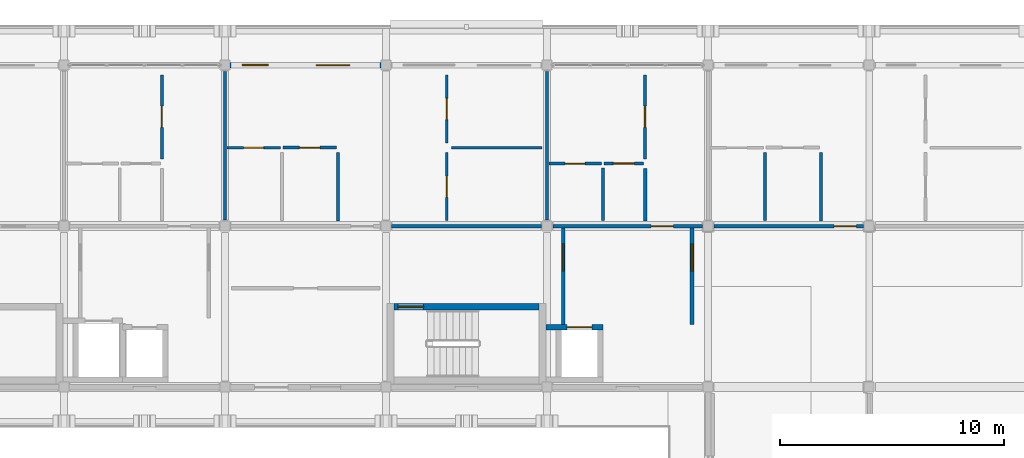
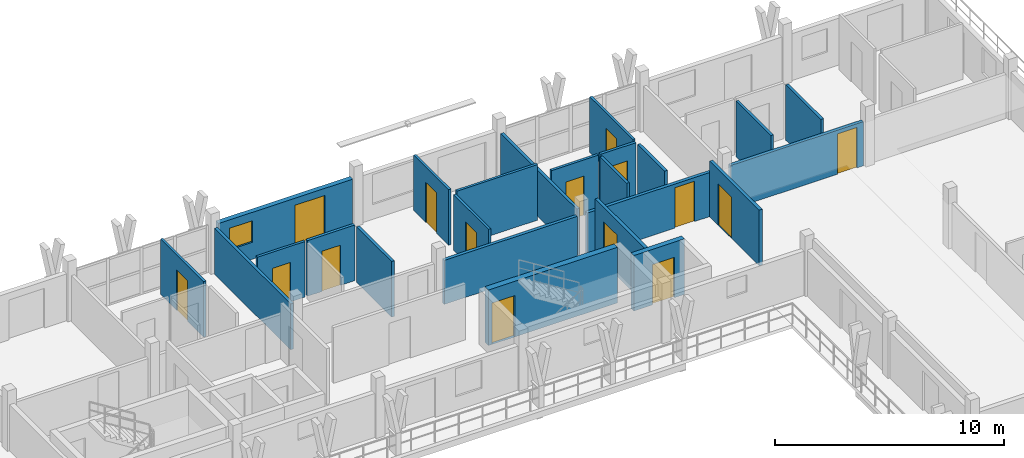
# One storey, part 41 of 56: 24 walls, 15 doors, 1 window, 16 openings.
"""IFC4 building model written with IfcOpenShell, lengths in metres."""

from ifc_helpers import new_model, si_unit, direction, frame, frame_2d, origin, place, context, subcontext, project, spatial, rectangle, extrude, material, layer, layer_set, type_object, element, fill, save


model = new_model("IFC4")

# Units and contexts
model_context = context("Model", 3, precision=1e-05, world=origin(), true_north=direction((0.0, 1.0)))
body_context = subcontext(model_context, "Body", "Model", "MODEL_VIEW")
ifc_project = project(units=[si_unit("LENGTHUNIT", "METRE"), si_unit("AREAUNIT", "SQUARE_METRE"), si_unit("VOLUMEUNIT", "CUBIC_METRE"), si_unit("PLANEANGLEUNIT", "RADIAN"), si_unit("MASSUNIT", "GRAM", prefix="KILO")], contexts=[model_context])

# Site, building, storey
site_placement = place(None, origin())
site = spatial("IfcSite", under=ifc_project, at=site_placement, CompositionType="ELEMENT")
building_placement = place(site_placement, origin())
building = spatial("IfcBuilding", under=site, at=building_placement, Name="Suanplinth Sawtooth Commons", CompositionType="ELEMENT")
storey_placement = place(building_placement, frame((0.0, 0.0, 34.800048828125)))
storey = spatial("IfcBuildingStorey", under=building, at=storey_placement, Name="L10", CompositionType="ELEMENT", Elevation=34.800048828125)

# Wall, opening, door
ifc_material_1 = material(Name="Concrete C40/50", Category="concrete")
ifc_layer_1 = layer(ifc_material_1, 0.300048828125, Name="Standard RC stair and lift core wall 300mm")
ifc_layer_set_1 = layer_set([ifc_layer_1], Name="Concrete C40/50")
wall_type_1 = type_object("IfcWallType", Name="W-CR02", PredefinedType="SHEAR", material=ifc_layer_set_1)
wall_1_placement = place(storey_placement, frame((158.75, 111.60009765625, 0.0), z_axis=(0.0, 0.0, 1.0), x_axis=(1.0, 0.0, 0.0)))
wall_1 = element("IfcWall", 1, at=wall_1_placement, inside=storey, type_object=wall_type_1, Name="W-L10-C-B2-STN", PredefinedType="SHEAR", context=body_context, shape_type="SweptSolid", body=[
    extrude(rectangle(XDim=6.5, YDim=0.300048828125, at=frame_2d((3.25, 0.0))), origin(), (0.0, 0.0, 1.0), 2.9599609375),
])
opening_1_placement = place(wall_1_placement, frame((0.179931640625, 0.0, 0.0)))
opening_1 = element("IfcOpeningElement", 2, at=opening_1_placement, cuts=wall_1, Name="Opening FD0264", PredefinedType="OPENING", context=body_context, shape_type="SweptSolid", body=[
    extrude(rectangle(XDim=1.14990234375, YDim=2.199951171875, at=frame_2d((0.574951171875, 1.10009765625))), frame((0.0, 0.1650390625, 0.0), z_axis=(0.0, -1.0, 0.0), x_axis=(1.0, 0.0, 0.0)), (0.0, 0.0, 1.0), 0.329833984375),
])
ifc_material_2 = material(Name="Teak hardwood fire-rated door assembly", Category="wood")
door_type_1 = type_object("IfcDoorType", Name="FD-01", OperationType="NOTDEFINED", PredefinedType="DOOR", material=ifc_material_2)
door_1_placement = place(opening_1_placement, frame((1.14990234375, 0.0, 0.0), z_axis=(0.0, 0.0, 1.0), x_axis=(-1.0, 0.0, 0.0)))
door_1 = element("IfcDoor", 3, at=door_1_placement, inside=storey, type_object=door_type_1, Name="Exit Stair Fire Door FD0264", OperationType="SINGLE_SWING_RIGHT", OverallHeight=2.199951171875, OverallWidth=1.14990234375, PredefinedType="DOOR", context=body_context, shape_type="SweptSolid", body=[
    extrude(rectangle(XDim=1.14990234375, YDim=2.199951171875, at=frame_2d((0.574951171875, 1.10009765625))), frame((0.0, 0.02490234375, 0.0), z_axis=(0.0, -1.0, 0.0), x_axis=(1.0, 0.0, 0.0)), (0.0, 0.0, 1.0), 0.050048828125),
])
fill(opening_1, door_1)

# Wall, openings, door, window
ifc_material_3 = material(Name="Precast concrete C40/50", Category="concrete")
ifc_layer_2 = layer(ifc_material_3, 0.239990234375, Name="Upper insulated precast facade wall 240mm")
ifc_layer_set_2 = layer_set([ifc_layer_2], Name="Precast concrete C40/50")
wall_type_2 = type_object("IfcWallType", Name="W-EX03", PredefinedType="ELEMENTEDWALL", material=ifc_layer_set_2)
wall_2_placement = place(storey_placement, frame((151.425048828125, 122.39990234375, 0.0), z_axis=(0.0, 0.0, 1.0), x_axis=(1.0, 0.0, 0.0)))
wall_2 = element("IfcWall", 4, at=wall_2_placement, inside=storey, type_object=wall_type_2, Name="Facade Wall W-L10-B-N-21-16", PredefinedType="ELEMENTEDWALL", context=body_context, shape_type="SweptSolid", body=[
    extrude(rectangle(XDim=6.75, YDim=0.239990234375, at=frame_2d((3.375, 0.0))), origin(), (0.0, 0.0, 1.0), 2.494873046875),
])
opening_2_placement = place(wall_2_placement, frame((3.85009765625, 0.0, 0.0)))
opening_2 = element("IfcOpeningElement", 5, at=opening_2_placement, cuts=wall_2, Name="Opening ED0753", PredefinedType="OPENING", context=body_context, shape_type="SweptSolid", body=[
    extrude(rectangle(XDim=1.5, YDim=2.1201171875, at=frame_2d((0.75, 1.06005859375))), frame((0.0, 0.134765625, 0.0), z_axis=(0.0, -1.0, 0.0), x_axis=(1.0, 0.0, 0.0)), (0.0, 0.0, 1.0), 0.269775390625),
])
opening_3_placement = place(wall_2_placement, frame((0.550048828125, 0.0, 0.89990234375)))
opening_3 = element("IfcOpeningElement", 6, at=opening_3_placement, cuts=wall_2, Name="Opening W0836", PredefinedType="OPENING", context=body_context, shape_type="SweptSolid", body=[
    extrude(rectangle(XDim=1.14990234375, YDim=1.14990234375, at=frame_2d((0.574951171875, 0.574951171875))), frame((0.0, 0.134765625, 0.0), z_axis=(0.0, -1.0, 0.0), x_axis=(1.0, 0.0, 0.0)), (0.0, 0.0, 1.0), 0.269775390625),
])
ifc_material_4 = material(Name="Anodized aluminium and low-E glass", Category="aluminium")
door_type_2 = type_object("IfcDoorType", Name="SD-03", OperationType="SLIDING_TO_LEFT", PredefinedType="DOOR", material=ifc_material_4)
door_2_placement = place(opening_2_placement, frame((1.5, 0.0, 0.0), z_axis=(0.0, 0.0, 1.0), x_axis=(-1.0, 0.0, 0.0)))
door_2 = element("IfcDoor", 7, at=door_2_placement, inside=storey, type_object=door_type_2, Name="Balcony Sliding Door L10-B-21", OperationType="SLIDING_TO_LEFT", OverallHeight=2.1201171875, OverallWidth=1.5, PredefinedType="DOOR", context=body_context, shape_type="SweptSolid", body=[
    extrude(rectangle(XDim=1.5, YDim=2.1201171875, at=frame_2d((0.75, 1.06005859375))), frame((0.0, 0.02490234375, 0.0), z_axis=(0.0, -1.0, 0.0), x_axis=(1.0, 0.0, 0.0)), (0.0, 0.0, 1.0), 0.050048828125),
])
fill(opening_2, door_2)
ifc_material_5 = material(Name="Thermally broken aluminium and low-E double glazing", Category="aluminium")
window_type = type_object("IfcWindowType", Name="WN-20", PartitioningType="SINGLE_PANEL", PredefinedType="WINDOW", material=ifc_material_5)
window_placement = place(opening_3_placement, origin())
window = element("IfcWindow", 8, at=window_placement, inside=storey, type_object=window_type, Name="Apartment Window L10-B-21", OverallHeight=1.14990234375, OverallWidth=1.14990234375, PartitioningType="SINGLE_PANEL", PredefinedType="WINDOW", context=body_context, shape_type="SweptSolid", body=[
    extrude(rectangle(XDim=1.14990234375, YDim=1.14990234375, at=frame_2d((0.574951171875, 0.574951171875))), frame((0.0, 0.030029296875, 0.0), z_axis=(0.0, -1.0, 0.0), x_axis=(1.0, 0.0, 0.0)), (0.0, 0.0, 1.0), 0.06005859375),
])
fill(opening_3, window)

# Wall, opening, door
ifc_layer_3 = layer(ifc_material_3, 0.159912109375, Name="Fire-rated corridor and lobby wall 160mm")
ifc_layer_set_3 = layer_set([ifc_layer_3], Name="Precast concrete C40/50")
wall_type_3 = type_object("IfcWallType", Name="W-FW01", PredefinedType="PARTITIONING", material=ifc_layer_set_3)
wall_3_placement = place(storey_placement, frame((166.320068359375, 110.800048828125, 0.0), z_axis=(0.0, 0.0, 1.0), x_axis=(0.0, 1.0, 0.0)))
wall_3 = element("IfcWall", 9, at=wall_3_placement, inside=storey, type_object=wall_type_3, Name="W-L10-C-B2-LOB-W", PredefinedType="PARTITIONING", context=body_context, shape_type="SweptSolid", body=[
    extrude(rectangle(XDim=4.320068359375, YDim=0.159912109375, at=frame_2d((2.16015625, 0.0))), origin(), (0.0, 0.0, 1.0), 2.9599609375),
])
opening_4_placement = place(wall_3_placement, frame((2.39990234375, 0.0, 0.0)))
opening_4 = element("IfcOpeningElement", 10, at=opening_4_placement, cuts=wall_3, Name="Opening FD0265", PredefinedType="OPENING", context=body_context, shape_type="SweptSolid", body=[
    extrude(rectangle(XDim=1.199951171875, YDim=2.199951171875, at=frame_2d((0.60009765625, 1.10009765625))), frame((0.0, 0.0947265625, 0.0), z_axis=(0.0, -1.0, 0.0), x_axis=(1.0, 0.0, 0.0)), (0.0, 0.0, 1.0), 0.189697265625),
])
door_type_3 = type_object("IfcDoorType", Name="FD-02", OperationType="NOTDEFINED", PredefinedType="DOOR", material=ifc_material_2)
door_3_placement = place(opening_4_placement, origin())
door_3 = element("IfcDoor", 11, at=door_3_placement, inside=storey, type_object=door_type_3, Name="Lobby Fire Door FD0265", OperationType="SINGLE_SWING_LEFT", OverallHeight=2.199951171875, OverallWidth=1.199951171875, PredefinedType="DOOR", context=body_context, shape_type="SweptSolid", body=[
    extrude(rectangle(XDim=1.199951171875, YDim=2.199951171875, at=frame_2d((0.60009765625, 1.10009765625))), frame((0.0, 0.02490234375, 0.0), z_axis=(0.0, -1.0, 0.0), x_axis=(1.0, 0.0, 0.0)), (0.0, 0.0, 1.0), 0.050048828125),
])
fill(opening_4, door_3)

wall_4_placement = place(storey_placement, frame((172.080078125, 110.800048828125, 0.0), z_axis=(0.0, 0.0, 1.0), x_axis=(0.0, 1.0, 0.0)))
wall_4 = element("IfcWall", 12, at=wall_4_placement, inside=storey, type_object=wall_type_3, Name="W-L10-C-B2-LOB-E", PredefinedType="PARTITIONING", context=body_context, shape_type="SweptSolid", body=[
    extrude(rectangle(XDim=4.320068359375, YDim=0.159912109375, at=frame_2d((2.16015625, 0.0))), origin(), (0.0, 0.0, 1.0), 2.9599609375),
])
opening_5_placement = place(wall_4_placement, frame((2.39990234375, 0.0, 0.0)))
opening_5 = element("IfcOpeningElement", 13, at=opening_5_placement, cuts=wall_4, Name="Opening FD0266", PredefinedType="OPENING", context=body_context, shape_type="SweptSolid", body=[
    extrude(rectangle(XDim=1.199951171875, YDim=2.199951171875, at=frame_2d((0.60009765625, 1.10009765625))), frame((0.0, 0.0947265625, 0.0), z_axis=(0.0, -1.0, 0.0), x_axis=(1.0, 0.0, 0.0)), (0.0, 0.0, 1.0), 0.189697265625),
])
door_4_placement = place(opening_5_placement, frame((1.199951171875, 0.0, 0.0), z_axis=(0.0, 0.0, 1.0), x_axis=(-1.0, 0.0, 0.0)))
door_4 = element("IfcDoor", 14, at=door_4_placement, inside=storey, type_object=door_type_3, Name="Lobby Fire Door FD0266", OperationType="SINGLE_SWING_RIGHT", OverallHeight=2.199951171875, OverallWidth=1.199951171875, PredefinedType="DOOR", context=body_context, shape_type="SweptSolid", body=[
    extrude(rectangle(XDim=1.199951171875, YDim=2.199951171875, at=frame_2d((0.60009765625, 1.10009765625))), frame((0.0, 0.02490234375, 0.0), z_axis=(0.0, -1.0, 0.0), x_axis=(1.0, 0.0, 0.0)), (0.0, 0.0, 1.0), 0.050048828125),
])
fill(opening_5, door_4)

# Wall
wall_5_placement = place(storey_placement, frame((158.655029296875, 115.199951171875, 0.0), z_axis=(0.0, 0.0, 1.0), x_axis=(1.0, 0.0, 0.0)))
element("IfcWall", 15, at=wall_5_placement, inside=storey, type_object=wall_type_3, Name="W-B-L10-U03-COR-S2", PredefinedType="PARTITIONING", context=body_context, shape_type="SweptSolid", body=[
    extrude(rectangle(XDim=6.68994140625, YDim=0.159912109375, at=frame_2d((3.344970703125, 0.0))), origin(), (0.0, 0.0, 1.0), 2.344970703125),
])

# Wall, opening, door
wall_6_placement = place(storey_placement, frame((165.85498046875, 115.199951171875, 0.0), z_axis=(0.0, 0.0, 1.0), x_axis=(1.0, 0.0, 0.0)))
wall_6 = element("IfcWall", 16, at=wall_6_placement, inside=storey, type_object=wall_type_3, Name="W-B-L10-U04-COR", PredefinedType="PARTITIONING", context=body_context, shape_type="SweptSolid", body=[
    extrude(rectangle(XDim=6.68994140625, YDim=0.159912109375, at=frame_2d((3.344970703125, 0.0))), origin(), (0.0, 0.0, 1.0), 2.344970703125),
])
opening_6_placement = place(wall_6_placement, frame((4.39501953125, 0.0, 0.0)))
opening_6 = element("IfcOpeningElement", 17, at=opening_6_placement, cuts=wall_6, Name="Opening FD1888", PredefinedType="OPENING", context=body_context, shape_type="SweptSolid", body=[
    extrude(rectangle(XDim=1.0, YDim=2.14990234375, at=frame_2d((0.5, 1.074951171875))), frame((0.0, 0.0947265625, 0.0), z_axis=(0.0, -1.0, 0.0), x_axis=(1.0, 0.0, 0.0)), (0.0, 0.0, 1.0), 0.189697265625),
])
door_type_4 = type_object("IfcDoorType", Name="FD-03", OperationType="NOTDEFINED", PredefinedType="DOOR", material=ifc_material_2)
door_5_placement = place(opening_6_placement, origin())
door_5 = element("IfcDoor", 18, at=door_5_placement, inside=storey, type_object=door_type_4, Name="Unit Entrance Door FD1888", OperationType="SINGLE_SWING_RIGHT", OverallHeight=2.14990234375, OverallWidth=1.0, PredefinedType="DOOR", context=body_context, shape_type="SweptSolid", body=[
    extrude(rectangle(XDim=1.0, YDim=2.14990234375, at=frame_2d((0.5, 1.074951171875))), frame((0.0, 0.02490234375, 0.0), z_axis=(0.0, -1.0, 0.0), x_axis=(1.0, 0.0, 0.0)), (0.0, 0.0, 1.0), 0.050048828125),
])
fill(opening_6, door_5)

wall_7_placement = place(storey_placement, frame((173.054931640625, 115.199951171875, 0.0), z_axis=(0.0, 0.0, 1.0), x_axis=(1.0, 0.0, 0.0)))
wall_7 = element("IfcWall", 19, at=wall_7_placement, inside=storey, type_object=wall_type_3, Name="W-B-L10-U05-COR-S1", PredefinedType="PARTITIONING", context=body_context, shape_type="SweptSolid", body=[
    extrude(rectangle(XDim=6.690185546875, YDim=0.159912109375, at=frame_2d((3.34521484375, 0.0))), origin(), (0.0, 0.0, 1.0), 2.344970703125),
])
opening_7_placement = place(wall_7_placement, frame((5.375, 0.0, 0.0)))
opening_7 = element("IfcOpeningElement", 20, at=opening_7_placement, cuts=wall_7, Name="Opening FD1892", PredefinedType="OPENING", context=body_context, shape_type="SweptSolid", body=[
    extrude(rectangle(XDim=1.0, YDim=2.14990234375, at=frame_2d((0.5, 1.074951171875))), frame((0.0, 0.0947265625, 0.0), z_axis=(0.0, -1.0, 0.0), x_axis=(1.0, 0.0, 0.0)), (0.0, 0.0, 1.0), 0.189697265625),
])
door_6_placement = place(opening_7_placement, origin())
door_6 = element("IfcDoor", 21, at=door_6_placement, inside=storey, type_object=door_type_4, Name="Unit Entrance Door FD1892", OperationType="SINGLE_SWING_RIGHT", OverallHeight=2.14990234375, OverallWidth=1.0, PredefinedType="DOOR", context=body_context, shape_type="SweptSolid", body=[
    extrude(rectangle(XDim=1.0, YDim=2.14990234375, at=frame_2d((0.5, 1.074951171875))), frame((0.0, 0.02490234375, 0.0), z_axis=(0.0, -1.0, 0.0), x_axis=(1.0, 0.0, 0.0)), (0.0, 0.0, 1.0), 0.050048828125),
])
fill(opening_7, door_6)

# Walls
ifc_layer_4 = layer(ifc_material_3, 0.14990234375, Name="Acoustic precast party demising wall 150mm")
ifc_layer_set_4 = layer_set([ifc_layer_4], Name="Precast concrete C40/50")
wall_type_4 = type_object("IfcWallType", Name="W-FW02", PredefinedType="PARTITIONING", material=ifc_layer_set_4)
for number, where, z_axis, x_axis, name in (
    (22, (151.199951171875, 115.47998046875, 0.0), (0.0, 0.0, 1.0), (0.0, 1.0, 0.0), "W-B-L10-U02-PTY"),
    (23, (165.60009765625, 115.47998046875, 0.0), (0.0, 0.0, 1.0), (0.0, 1.0, 0.0), "W-B-L10-U03-PTY"),
):
    element("IfcWall", number, at=place(storey_placement, frame(where, z_axis=z_axis, x_axis=x_axis)), inside=storey, type_object=wall_type_4, Name=name, PredefinedType="PARTITIONING", context=body_context, shape_type="SweptSolid", body=[
        extrude(rectangle(XDim=6.64013671875, YDim=0.14990234375, at=frame_2d((3.320068359375, 0.0))), origin(), (0.0, 0.0, 1.0), 2.445068359375),
    ])

# Wall, opening, door
ifc_material_6 = material(Name="Gypsum plasterboard on steel stud", Category="steel")
ifc_layer_5 = layer(ifc_material_6, 0.139892578125, Name="Fire-rated kitchen partition 140mm")
ifc_layer_set_5 = layer_set([ifc_layer_5], Name="Gypsum plasterboard on steel stud")
wall_type_5 = type_object("IfcWallType", Name="W-PT01", PredefinedType="PARTITIONING", material=ifc_layer_set_5)
wall_8_placement = place(storey_placement, frame((153.800048828125, 118.7099609375, 0.0), z_axis=(0.0, 0.0, 1.0), x_axis=(1.0, 0.0, 0.0)))
wall_8 = element("IfcWall", 24, at=wall_8_placement, inside=storey, type_object=wall_type_5, Name="W-B-L10-U03-KIT1", PredefinedType="PARTITIONING", context=body_context, shape_type="SweptSolid", body=[
    extrude(rectangle(XDim=2.3798828125, YDim=0.139892578125, at=frame_2d((1.18994140625, 0.0))), origin(), (0.0, 0.0, 1.0), 2.9599609375),
])
opening_8_placement = place(wall_8_placement, frame((0.72509765625, 0.0, 0.0)))
opening_8 = element("IfcOpeningElement", 25, at=opening_8_placement, cuts=wall_8, Name="Opening D1885", PredefinedType="OPENING", context=body_context, shape_type="SweptSolid", body=[
    extrude(rectangle(XDim=0.929931640625, YDim=2.139892578125, at=frame_2d((0.46484375, 1.06982421875))), frame((0.0, 0.0849609375, 0.0), z_axis=(0.0, -1.0, 0.0), x_axis=(1.0, 0.0, 0.0)), (0.0, 0.0, 1.0), 0.169677734375),
])
ifc_material_7 = material(Name="Teak hardwood", Category="wood")
door_type_5 = type_object("IfcDoorType", Name="D-19", OperationType="NOTDEFINED", PredefinedType="DOOR", material=ifc_material_7)
door_7_placement = place(opening_8_placement, frame((0.929931640625, 0.0, 0.0), z_axis=(0.0, 0.0, 1.0), x_axis=(-1.0, 0.0, 0.0)))
door_7 = element("IfcDoor", 26, at=door_7_placement, inside=storey, type_object=door_type_5, Name="Kitchen Door D1885", OperationType="SINGLE_SWING_LEFT", OverallHeight=2.139892578125, OverallWidth=0.929931640625, PredefinedType="DOOR", context=body_context, shape_type="SweptSolid", body=[
    extrude(rectangle(XDim=0.929931640625, YDim=2.139892578125, at=frame_2d((0.46484375, 1.06982421875))), frame((0.0, 0.02490234375, 0.0), z_axis=(0.0, -1.0, 0.0), x_axis=(1.0, 0.0, 0.0)), (0.0, 0.0, 1.0), 0.050048828125),
])
fill(opening_8, door_7)

# Wall
wall_9_placement = place(storey_placement, frame((156.25, 115.429931640625, 0.0), z_axis=(0.0, 0.0, 1.0), x_axis=(0.0, 1.0, 0.0)))
element("IfcWall", 27, at=wall_9_placement, inside=storey, type_object=wall_type_5, Name="W-B-L10-U03-KIT2", PredefinedType="PARTITIONING", context=body_context, shape_type="SweptSolid", body=[
    extrude(rectangle(XDim=3.06005859375, YDim=0.139892578125, at=frame_2d((1.530029296875, 0.0))), origin(), (0.0, 0.0, 1.0), 2.9599609375),
])

# Wall, opening, door
wall_10_placement = place(storey_placement, frame((168.14990234375, 118.0, 0.0), z_axis=(0.0, 0.0, 1.0), x_axis=(1.0, 0.0, 0.0)))
wall_10 = element("IfcWall", 28, at=wall_10_placement, inside=storey, type_object=wall_type_5, Name="W-B-L10-U04-KIT1", PredefinedType="PARTITIONING", context=body_context, shape_type="SweptSolid", body=[
    extrude(rectangle(XDim=1.77001953125, YDim=0.139892578125, at=frame_2d((0.885009765625, 0.0))), origin(), (0.0, 0.0, 1.0), 2.9599609375),
])
opening_9_placement = place(wall_10_placement, frame((0.419921875, 0.0, 0.0)))
opening_9 = element("IfcOpeningElement", 29, at=opening_9_placement, cuts=wall_10, Name="Opening D1890", PredefinedType="OPENING", context=body_context, shape_type="SweptSolid", body=[
    extrude(rectangle(XDim=0.929931640625, YDim=2.139892578125, at=frame_2d((0.46484375, 1.06982421875))), frame((0.0, 0.0849609375, 0.0), z_axis=(0.0, -1.0, 0.0), x_axis=(1.0, 0.0, 0.0)), (0.0, 0.0, 1.0), 0.169677734375),
])
door_8_placement = place(opening_9_placement, frame((0.929931640625, 0.0, 0.0), z_axis=(0.0, 0.0, 1.0), x_axis=(-1.0, 0.0, 0.0)))
door_8 = element("IfcDoor", 30, at=door_8_placement, inside=storey, type_object=door_type_5, Name="Kitchen Door D1890", OperationType="SINGLE_SWING_RIGHT", OverallHeight=2.139892578125, OverallWidth=0.929931640625, PredefinedType="DOOR", context=body_context, shape_type="SweptSolid", body=[
    extrude(rectangle(XDim=0.929931640625, YDim=2.139892578125, at=frame_2d((0.46484375, 1.06982421875))), frame((0.0, 0.02490234375, 0.0), z_axis=(0.0, -1.0, 0.0), x_axis=(1.0, 0.0, 0.0)), (0.0, 0.0, 1.0), 0.050048828125),
])
fill(opening_9, door_8)

# Walls
wall_11_placement = place(storey_placement, frame((169.989990234375, 115.429931640625, 0.0), z_axis=(0.0, 0.0, 1.0), x_axis=(0.0, 1.0, 0.0)))
element("IfcWall", 31, at=wall_11_placement, inside=storey, type_object=wall_type_5, Name="W-B-L10-U04-KIT2", PredefinedType="PARTITIONING", context=body_context, shape_type="SweptSolid", body=[
    extrude(rectangle(XDim=2.35009765625, YDim=0.139892578125, at=frame_2d((1.175048828125, 0.0))), origin(), (0.0, 0.0, 1.0), 2.9599609375),
])
wall_12_placement = place(storey_placement, frame((177.85009765625, 115.429931640625, 0.0), z_axis=(0.0, 0.0, 1.0), x_axis=(0.0, 1.0, 0.0)))
element("IfcWall", 32, at=wall_12_placement, inside=storey, type_object=wall_type_5, Name="W-B-L10-U05-KIT2", PredefinedType="PARTITIONING", context=body_context, shape_type="SweptSolid", body=[
    extrude(rectangle(XDim=3.06005859375, YDim=0.139892578125, at=frame_2d((1.530029296875, 0.0))), origin(), (0.0, 0.0, 1.0), 2.9599609375),
])

# Wall, opening, door
ifc_layer_6 = layer(ifc_material_6, 0.1298828125, Name="Moisture-resistant bathroom partition 130mm")
ifc_layer_set_6 = layer_set([ifc_layer_6], Name="Gypsum plasterboard on steel stud")
wall_type_6 = type_object("IfcWallType", Name="W-PT02", PredefinedType="PARTITIONING", material=ifc_layer_set_6)
wall_13_placement = place(storey_placement, frame((151.280029296875, 118.705078125, 0.0), z_axis=(0.0, 0.0, 1.0), x_axis=(1.0, 0.0, 0.0)))
wall_13 = element("IfcWall", 33, at=wall_13_placement, inside=storey, type_object=wall_type_6, Name="W-B-L10-U03-BTH1", PredefinedType="PARTITIONING", context=body_context, shape_type="SweptSolid", body=[
    extrude(rectangle(XDim=2.39990234375, YDim=0.1298828125, at=frame_2d((1.199951171875, 0.0))), origin(), (0.0, 0.0, 1.0), 2.9599609375),
])
opening_10_placement = place(wall_13_placement, frame((0.75, 0.0, 0.0)))
opening_10 = element("IfcOpeningElement", 34, at=opening_10_placement, cuts=wall_13, Name="Opening D1884", PredefinedType="OPENING", context=body_context, shape_type="SweptSolid", body=[
    extrude(rectangle(XDim=0.89990234375, YDim=2.10009765625, at=frame_2d((0.449951171875, 1.050048828125))), frame((0.0, 0.079833984375, 0.0), z_axis=(0.0, -1.0, 0.0), x_axis=(1.0, 0.0, 0.0)), (0.0, 0.0, 1.0), 0.15966796875),
])
door_type_6 = type_object("IfcDoorType", Name="D-01", OperationType="NOTDEFINED", PredefinedType="DOOR", material=ifc_material_7)
door_9_placement = place(opening_10_placement, frame((0.89990234375, 0.0, 0.0), z_axis=(0.0, 0.0, 1.0), x_axis=(-1.0, 0.0, 0.0)))
door_9 = element("IfcDoor", 35, at=door_9_placement, inside=storey, type_object=door_type_6, Name="Bathroom Door D1884", OperationType="SINGLE_SWING_RIGHT", OverallHeight=2.10009765625, OverallWidth=0.89990234375, PredefinedType="DOOR", context=body_context, shape_type="SweptSolid", body=[
    extrude(rectangle(XDim=0.89990234375, YDim=2.10009765625, at=frame_2d((0.449951171875, 1.050048828125))), frame((0.0, 0.02490234375, 0.0), z_axis=(0.0, -1.0, 0.0), x_axis=(1.0, 0.0, 0.0)), (0.0, 0.0, 1.0), 0.050048828125),
])
fill(opening_10, door_9)

wall_14_placement = place(storey_placement, frame((165.679931640625, 117.9951171875, 0.0), z_axis=(0.0, 0.0, 1.0), x_axis=(1.0, 0.0, 0.0)))
wall_14 = element("IfcWall", 36, at=wall_14_placement, inside=storey, type_object=wall_type_6, Name="W-B-L10-U04-BTH1", PredefinedType="PARTITIONING", context=body_context, shape_type="SweptSolid", body=[
    extrude(rectangle(XDim=2.35009765625, YDim=0.1298828125, at=frame_2d((1.175048828125, 0.0))), origin(), (0.0, 0.0, 1.0), 2.9599609375),
])
opening_11_placement = place(wall_14_placement, frame((0.72509765625, 0.0, 0.0)))
opening_11 = element("IfcOpeningElement", 37, at=opening_11_placement, cuts=wall_14, Name="Opening D1889", PredefinedType="OPENING", context=body_context, shape_type="SweptSolid", body=[
    extrude(rectangle(XDim=0.89990234375, YDim=2.10009765625, at=frame_2d((0.449951171875, 1.050048828125))), frame((0.0, 0.079833984375, 0.0), z_axis=(0.0, -1.0, 0.0), x_axis=(1.0, 0.0, 0.0)), (0.0, 0.0, 1.0), 0.15966796875),
])
door_10_placement = place(opening_11_placement, frame((0.89990234375, 0.0, 0.0), z_axis=(0.0, 0.0, 1.0), x_axis=(-1.0, 0.0, 0.0)))
door_10 = element("IfcDoor", 38, at=door_10_placement, inside=storey, type_object=door_type_6, Name="Bathroom Door D1889", OperationType="SINGLE_SWING_LEFT", OverallHeight=2.10009765625, OverallWidth=0.89990234375, PredefinedType="DOOR", context=body_context, shape_type="SweptSolid", body=[
    extrude(rectangle(XDim=0.89990234375, YDim=2.10009765625, at=frame_2d((0.449951171875, 1.050048828125))), frame((0.0, 0.02490234375, 0.0), z_axis=(0.0, -1.0, 0.0), x_axis=(1.0, 0.0, 0.0)), (0.0, 0.0, 1.0), 0.050048828125),
])
fill(opening_11, door_10)

# Walls
wall_15_placement = place(storey_placement, frame((168.094970703125, 115.4599609375, 0.0), z_axis=(0.0, 0.0, 1.0), x_axis=(0.0, 1.0, 0.0)))
element("IfcWall", 39, at=wall_15_placement, inside=storey, type_object=wall_type_6, Name="W-B-L10-U04-BTH2", PredefinedType="PARTITIONING", context=body_context, shape_type="SweptSolid", body=[
    extrude(rectangle(XDim=2.330078125, YDim=0.1298828125, at=frame_2d((1.1650390625, 0.0))), origin(), (0.0, 0.0, 1.0), 2.9599609375),
])
wall_16_placement = place(storey_placement, frame((175.344970703125, 115.4599609375, 0.0), z_axis=(0.0, 0.0, 1.0), x_axis=(0.0, 1.0, 0.0)))
element("IfcWall", 40, at=wall_16_placement, inside=storey, type_object=wall_type_6, Name="W-B-L10-U05-BTH2", PredefinedType="PARTITIONING", context=body_context, shape_type="SweptSolid", body=[
    extrude(rectangle(XDim=3.0400390625, YDim=0.1298828125, at=frame_2d((1.52001953125, 0.0))), origin(), (0.0, 0.0, 1.0), 2.9599609375),
])

# Wall, opening, door
ifc_layer_7 = layer(ifc_material_6, 0.1201171875, Name="Acoustic bedroom partition 120mm")
ifc_layer_set_7 = layer_set([ifc_layer_7], Name="Gypsum plasterboard on steel stud")
wall_type_7 = type_object("IfcWallType", Name="W-PT03", PredefinedType="PARTITIONING", material=ifc_layer_set_7)
wall_17_placement = place(storey_placement, frame((148.3798828125, 118.2099609375, 0.0), z_axis=(0.0, 0.0, 1.0), x_axis=(0.0, 1.0, 0.0)))
wall_17 = element("IfcWall", 41, at=wall_17_placement, inside=storey, type_object=wall_type_7, Name="W-B-L10-U02-BED1", PredefinedType="PARTITIONING", context=body_context, shape_type="SweptSolid", body=[
    extrude(rectangle(XDim=3.75, YDim=0.1201171875, at=frame_2d((1.875, 0.0))), origin(), (0.0, 0.0, 1.0), 2.9599609375),
])
opening_12_placement = place(wall_17_placement, frame((1.39990234375, 0.0, 0.0)))
opening_12 = element("IfcOpeningElement", 42, at=opening_12_placement, cuts=wall_17, Name="Opening D1882", PredefinedType="OPENING", context=body_context, shape_type="SweptSolid", body=[
    extrude(rectangle(XDim=0.949951171875, YDim=2.14990234375, at=frame_2d((0.47509765625, 1.074951171875))), frame((0.0, 0.074951171875, 0.0), z_axis=(0.0, -1.0, 0.0), x_axis=(1.0, 0.0, 0.0)), (0.0, 0.0, 1.0), 0.14990234375),
])
door_type_7 = type_object("IfcDoorType", Name="D-03", OperationType="NOTDEFINED", PredefinedType="DOOR", material=ifc_material_7)
door_11_placement = place(opening_12_placement, origin())
door_11 = element("IfcDoor", 43, at=door_11_placement, inside=storey, type_object=door_type_7, Name="Bedroom Door D1882", OperationType="SINGLE_SWING_RIGHT", OverallHeight=2.14990234375, OverallWidth=0.949951171875, PredefinedType="DOOR", context=body_context, shape_type="SweptSolid", body=[
    extrude(rectangle(XDim=0.949951171875, YDim=2.14990234375, at=frame_2d((0.47509765625, 1.074951171875))), frame((0.0, 0.02490234375, 0.0), z_axis=(0.0, -1.0, 0.0), x_axis=(1.0, 0.0, 0.0)), (0.0, 0.0, 1.0), 0.050048828125),
])
fill(opening_12, door_11)

wall_18_placement = place(storey_placement, frame((161.1201171875, 118.919921875, 0.0), z_axis=(0.0, 0.0, 1.0), x_axis=(0.0, 1.0, 0.0)))
wall_18 = element("IfcWall", 44, at=wall_18_placement, inside=storey, type_object=wall_type_7, Name="W-B-L10-U03-BED1", PredefinedType="PARTITIONING", context=body_context, shape_type="SweptSolid", body=[
    extrude(rectangle(XDim=3.0400390625, YDim=0.1201171875, at=frame_2d((1.52001953125, 0.0))), origin(), (0.0, 0.0, 1.0), 2.9599609375),
])
opening_13_placement = place(wall_18_placement, frame((1.044921875, 0.0, 0.0)))
opening_13 = element("IfcOpeningElement", 45, at=opening_13_placement, cuts=wall_18, Name="Opening D1886", PredefinedType="OPENING", context=body_context, shape_type="SweptSolid", body=[
    extrude(rectangle(XDim=0.949951171875, YDim=2.14990234375, at=frame_2d((0.47509765625, 1.074951171875))), frame((0.0, 0.074951171875, 0.0), z_axis=(0.0, -1.0, 0.0), x_axis=(1.0, 0.0, 0.0)), (0.0, 0.0, 1.0), 0.14990234375),
])
door_12_placement = place(opening_13_placement, frame((0.949951171875, 0.0, 0.0), z_axis=(0.0, 0.0, 1.0), x_axis=(-1.0, 0.0, 0.0)))
door_12 = element("IfcDoor", 46, at=door_12_placement, inside=storey, type_object=door_type_7, Name="Bedroom Door D1886", OperationType="SINGLE_SWING_RIGHT", OverallHeight=2.14990234375, OverallWidth=0.949951171875, PredefinedType="DOOR", context=body_context, shape_type="SweptSolid", body=[
    extrude(rectangle(XDim=0.949951171875, YDim=2.14990234375, at=frame_2d((0.47509765625, 1.074951171875))), frame((0.0, 0.02490234375, 0.0), z_axis=(0.0, -1.0, 0.0), x_axis=(1.0, 0.0, 0.0)), (0.0, 0.0, 1.0), 0.050048828125),
])
fill(opening_13, door_12)

wall_19_placement = place(storey_placement, frame((161.1201171875, 115.43994140625, 0.0), z_axis=(0.0, 0.0, 1.0), x_axis=(0.0, 1.0, 0.0)))
wall_19 = element("IfcWall", 47, at=wall_19_placement, inside=storey, type_object=wall_type_7, Name="W-B-L10-U03-BED2", PredefinedType="PARTITIONING", context=body_context, shape_type="SweptSolid", body=[
    extrude(rectangle(XDim=3.0400390625, YDim=0.1201171875, at=frame_2d((1.52001953125, 0.0))), origin(), (0.0, 0.0, 1.0), 2.9599609375),
])
opening_14_placement = place(wall_19_placement, frame((1.0400390625, 0.0, 0.0)))
opening_14 = element("IfcOpeningElement", 48, at=opening_14_placement, cuts=wall_19, Name="Opening D1887", PredefinedType="OPENING", context=body_context, shape_type="SweptSolid", body=[
    extrude(rectangle(XDim=0.9599609375, YDim=2.14990234375, at=frame_2d((0.47998046875, 1.074951171875))), frame((0.0, 0.074951171875, 0.0), z_axis=(0.0, -1.0, 0.0), x_axis=(1.0, 0.0, 0.0)), (0.0, 0.0, 1.0), 0.14990234375),
])
door_type_8 = type_object("IfcDoorType", Name="D-13", OperationType="NOTDEFINED", PredefinedType="DOOR", material=ifc_material_7)
door_13_placement = place(opening_14_placement, frame((0.9599609375, 0.0, 0.0), z_axis=(0.0, 0.0, 1.0), x_axis=(-1.0, 0.0, 0.0)))
door_13 = element("IfcDoor", 49, at=door_13_placement, inside=storey, type_object=door_type_8, Name="Second Bedroom Door D1887", OperationType="SINGLE_SWING_LEFT", OverallHeight=2.14990234375, OverallWidth=0.9599609375, PredefinedType="DOOR", context=body_context, shape_type="SweptSolid", body=[
    extrude(rectangle(XDim=0.9599609375, YDim=2.14990234375, at=frame_2d((0.47998046875, 1.074951171875))), frame((0.0, 0.02490234375, 0.0), z_axis=(0.0, -1.0, 0.0), x_axis=(1.0, 0.0, 0.0)), (0.0, 0.0, 1.0), 0.050048828125),
])
fill(opening_14, door_13)

wall_20_placement = place(storey_placement, frame((169.97998046875, 118.2099609375, 0.0), z_axis=(0.0, 0.0, 1.0), x_axis=(0.0, 1.0, 0.0)))
wall_20 = element("IfcWall", 50, at=wall_20_placement, inside=storey, type_object=wall_type_7, Name="W-B-L10-U04-BED1", PredefinedType="PARTITIONING", context=body_context, shape_type="SweptSolid", body=[
    extrude(rectangle(XDim=3.75, YDim=0.1201171875, at=frame_2d((1.875, 0.0))), origin(), (0.0, 0.0, 1.0), 2.9599609375),
])
opening_15_placement = place(wall_20_placement, frame((1.39990234375, 0.0, 0.0)))
opening_15 = element("IfcOpeningElement", 51, at=opening_15_placement, cuts=wall_20, Name="Opening D1891", PredefinedType="OPENING", context=body_context, shape_type="SweptSolid", body=[
    extrude(rectangle(XDim=0.949951171875, YDim=2.14990234375, at=frame_2d((0.47509765625, 1.074951171875))), frame((0.0, 0.074951171875, 0.0), z_axis=(0.0, -1.0, 0.0), x_axis=(1.0, 0.0, 0.0)), (0.0, 0.0, 1.0), 0.14990234375),
])
door_14_placement = place(opening_15_placement, origin())
door_14 = element("IfcDoor", 52, at=door_14_placement, inside=storey, type_object=door_type_7, Name="Bedroom Door D1891", OperationType="SINGLE_SWING_LEFT", OverallHeight=2.14990234375, OverallWidth=0.949951171875, PredefinedType="DOOR", context=body_context, shape_type="SweptSolid", body=[
    extrude(rectangle(XDim=0.949951171875, YDim=2.14990234375, at=frame_2d((0.47509765625, 1.074951171875))), frame((0.0, 0.02490234375, 0.0), z_axis=(0.0, -1.0, 0.0), x_axis=(1.0, 0.0, 0.0)), (0.0, 0.0, 1.0), 0.050048828125),
])
fill(opening_15, door_14)

# Wall
ifc_layer_8 = layer(ifc_material_6, 0.125, Name="Acoustic study partition 125mm")
ifc_layer_set_8 = layer_set([ifc_layer_8], Name="Gypsum plasterboard on steel stud")
wall_type_8 = type_object("IfcWallType", Name="W-PT06", PredefinedType="PARTITIONING", material=ifc_layer_set_8)
wall_21_placement = place(storey_placement, frame((161.320068359375, 118.699951171875, 0.0), z_axis=(0.0, 0.0, 1.0), x_axis=(1.0, 0.0, 0.0)))
element("IfcWall", 53, at=wall_21_placement, inside=storey, type_object=wall_type_8, Name="W-B-L10-U03-BEDDIV", PredefinedType="PARTITIONING", context=body_context, shape_type="SweptSolid", body=[
    extrude(rectangle(XDim=4.059814453125, YDim=0.125, at=frame_2d((2.02978515625, 0.0))), origin(), (0.0, 0.0, 1.0), 2.9599609375),
])

# Wall, opening, door
ifc_layer_9 = layer(ifc_material_3, 0.25, Name="Precast structural shear wall 250mm")
ifc_layer_set_9 = layer_set([ifc_layer_9], Name="Precast concrete C40/50")
wall_type_9 = type_object("IfcWallType", Name="W-SH01", PredefinedType="SHEAR", material=ifc_layer_set_9)
wall_22_placement = place(storey_placement, frame((165.550048828125, 110.675048828125, 0.0), z_axis=(0.0, 0.0, 1.0), x_axis=(1.0, 0.0, 0.0)))
wall_22 = element("IfcWall", 54, at=wall_22_placement, inside=storey, type_object=wall_type_9, Name="W-L10-LF4-N", PredefinedType="SHEAR", context=body_context, shape_type="SweptSolid", body=[
    extrude(rectangle(XDim=2.550048828125, YDim=0.25, at=frame_2d((1.27490234375, 0.0))), origin(), (0.0, 0.0, 1.0), 2.9599609375),
])
opening_16_placement = place(wall_22_placement, frame((0.949951171875, 0.0, 0.0)))
opening_16 = element("IfcOpeningElement", 55, at=opening_16_placement, cuts=wall_22, Name="Opening LD0267", PredefinedType="OPENING", context=body_context, shape_type="SweptSolid", body=[
    extrude(rectangle(XDim=1.10009765625, YDim=2.14990234375, at=frame_2d((0.550048828125, 1.074951171875))), frame((0.0, 0.139892578125, 0.0), z_axis=(0.0, -1.0, 0.0), x_axis=(1.0, 0.0, 0.0)), (0.0, 0.0, 1.0), 0.27978515625),
])
ifc_material_8 = material(Name="Stainless steel Grade 304", Category="steel")
door_type_9 = type_object("IfcDoorType", Name="LD-01", OperationType="SLIDING_TO_LEFT", PredefinedType="DOOR", material=ifc_material_8)
door_15_placement = place(opening_16_placement, origin())
door_15 = element("IfcDoor", 56, at=door_15_placement, inside=storey, type_object=door_type_9, Name="Lift Landing Sliding Door LF4 L10", OperationType="SLIDING_TO_LEFT", OverallHeight=2.14990234375, OverallWidth=1.10009765625, PredefinedType="DOOR", context=body_context, shape_type="SweptSolid", body=[
    extrude(rectangle(XDim=1.10009765625, YDim=2.14990234375, at=frame_2d((0.550048828125, 1.074951171875))), frame((0.0, 0.02490234375, 0.0), z_axis=(0.0, -1.0, 0.0), x_axis=(1.0, 0.0, 0.0)), (0.0, 0.0, 1.0), 0.050048828125),
])
fill(opening_16, door_15)

save(model, "model.ifc")
